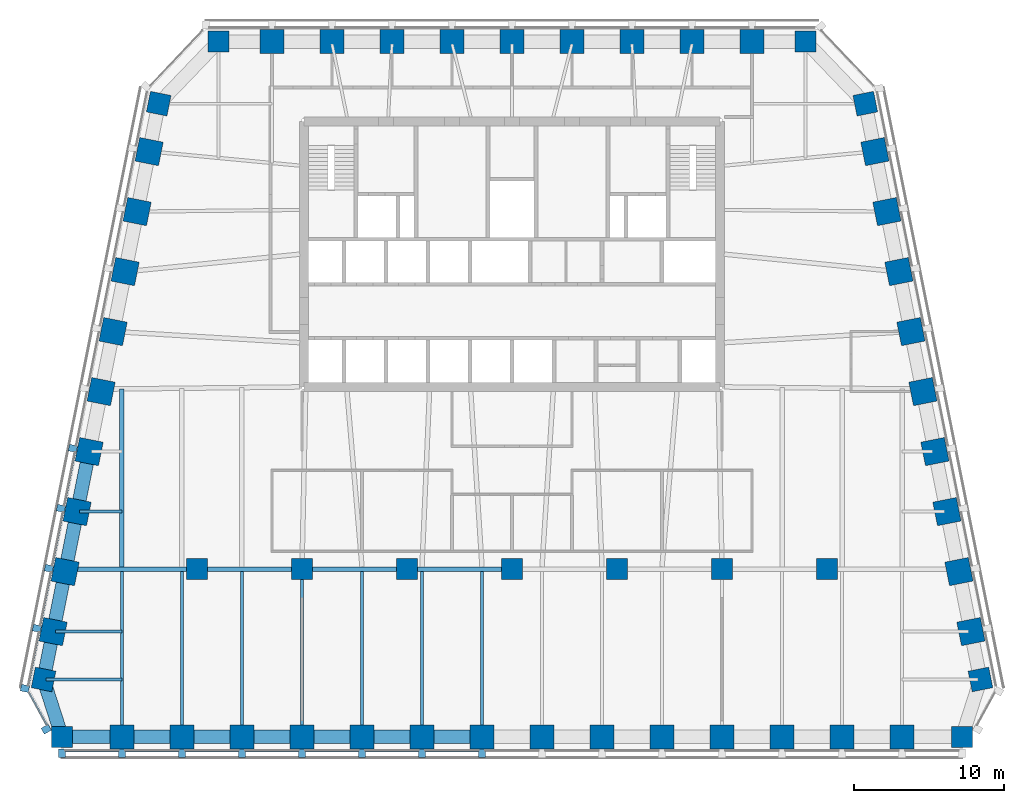
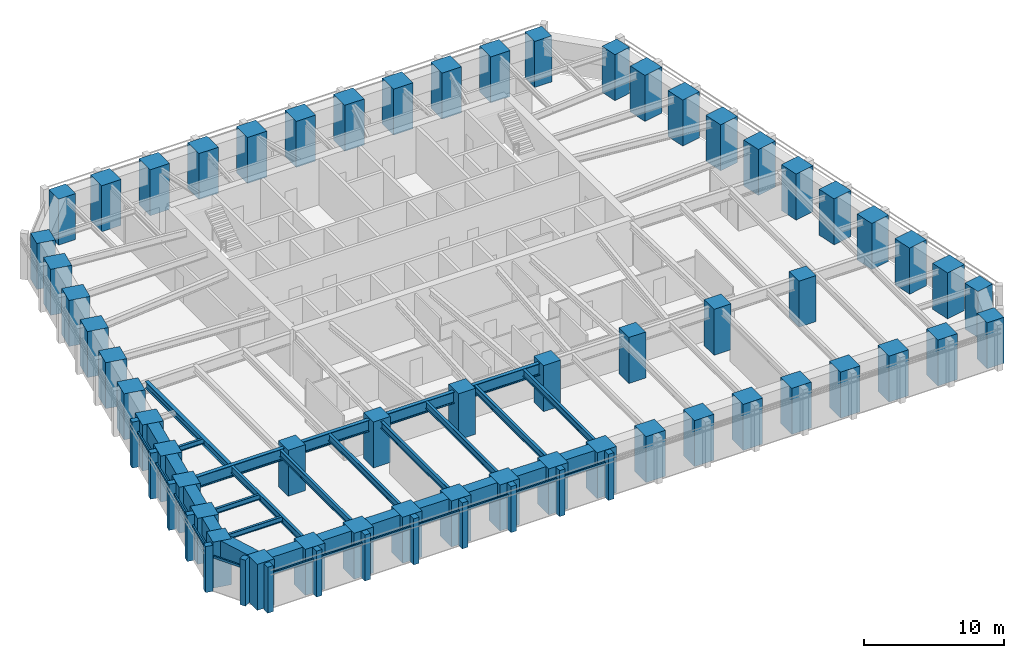
# One storey, part 1 of 10: 56 columns, 27 beams, 26 members, 3 elements without a shape of their own.
"""IFC4 building model written with IfcOpenShell, lengths in metres."""

import ifcopenshell
import ifcopenshell.guid

model = None  # the IFC model being written
_history = None  # IfcOwnerHistory: only IFC2X3 demands one
_inside = {}  # id of a spatial element -> (the spatial element, [elements in it])
_under = {}  # id of a project, library or spatial element -> (it, [spatial elements below it])
_declared = {}  # id of a project -> (the project, [libraries it declares])
_typed = {}  # id of a type object -> (the type object, [elements of that type])
_made_of = {}  # id of a material, layer set ... -> (it, [elements and type objects made of it])


def new_model(schema):
    """Start an empty IFC model of exactly this schema.

    Asked for "IFC4X3", IfcOpenShell would pick the latest addendum, in which some entities
    have other attributes; the version numbers below select the first issue.
    IFC2X3 requires an IfcOwnerHistory on every rooted entity: one is made here for all.
    """
    global model, _history
    if schema == "IFC4X3":
        model = ifcopenshell.file(schema_version=(4, 3, 0, 0))
    else:
        model = ifcopenshell.file(schema=schema)
    _inside.clear()
    _under.clear()
    _declared.clear()
    _typed.clear()
    _made_of.clear()
    _history = None
    if model.schema == "IFC2X3":
        org = make("IfcOrganization", Name="unknown")
        user = make(
            "IfcPersonAndOrganization",
            ThePerson=make("IfcPerson", FamilyName="unknown"),
            TheOrganization=org,
        )
        app = make(
            "IfcApplication",
            ApplicationDeveloper=org,
            Version="unknown",
            ApplicationFullName="unknown",
            ApplicationIdentifier="unknown",
        )
        _history = make(
            "IfcOwnerHistory",
            OwningUser=user,
            OwningApplication=app,
            ChangeAction="ADDED",
            CreationDate=0,
        )
    return model


def make(cls, **values):
    """One entity of the class cls with the attributes given. An attribute that is None is left unset."""
    return model.create_entity(
        cls, **{name: value for name, value in values.items() if value is not None}
    )


def rooted(cls, **values):
    """An entity with a GlobalId (a new one), such as an element, a storey or a relation."""
    return make(cls, GlobalId=ifcopenshell.guid.new(), OwnerHistory=_history, **values)


def si_unit(unit_type, name, prefix=None):
    """IfcSIUnit, for example si_unit("LENGTHUNIT", "METRE", prefix="MILLI")."""
    return make("IfcSIUnit", UnitType=unit_type, Prefix=prefix, Name=name)


def assignment(units):
    """IfcUnitAssignment: the units of a project."""
    return None if units is None else make("IfcUnitAssignment", Units=units)


def point(xyz):
    """IfcCartesianPoint."""
    return None if xyz is None else make("IfcCartesianPoint", Coordinates=xyz)


def direction(xyz):
    """IfcDirection."""
    return None if xyz is None else make("IfcDirection", DirectionRatios=xyz)


def frame(location, z_axis=None, x_axis=None):
    """IfcAxis2Placement3D, a coordinate frame: its origin and axes. An axis left out is left unset."""
    return make(
        "IfcAxis2Placement3D",
        Location=point(location),
        Axis=direction(z_axis),
        RefDirection=direction(x_axis),
    )


def frame_2d(location, x_axis=None):
    """IfcAxis2Placement2D, a coordinate frame in the plane: its origin and x axis."""
    return make(
        "IfcAxis2Placement2D", Location=point(location), RefDirection=direction(x_axis)
    )


def origin():
    """The frame at (0, 0, 0) with its axes left unset."""
    return frame((0.0, 0.0, 0.0))


def origin_2d():
    """The frame at (0, 0) in the plane with its x axis left unset."""
    return frame_2d((0.0, 0.0))


def place(relative_to, where):
    """IfcLocalPlacement: puts the frame where relative to a parent placement (None: the world)."""
    return make(
        "IfcLocalPlacement", PlacementRelTo=relative_to, RelativePlacement=where
    )


def context(
    kind, dimensions, precision=None, world=None, true_north=None, identifier=None
):
    """IfcGeometricRepresentationContext, for example the 3D "Model" context."""
    return make(
        "IfcGeometricRepresentationContext",
        ContextIdentifier=identifier,
        ContextType=kind,
        CoordinateSpaceDimension=dimensions,
        Precision=precision,
        WorldCoordinateSystem=world,
        TrueNorth=true_north,
    )


def subcontext(parent, identifier, kind, view, scale=None):
    """IfcGeometricRepresentationSubContext, for example "Body" below "Model"."""
    return make(
        "IfcGeometricRepresentationSubContext",
        ContextIdentifier=identifier,
        ContextType=kind,
        ParentContext=parent,
        TargetScale=scale,
        TargetView=view,
    )


def project(units=None, contexts=None):
    """IfcProject with its units and contexts."""
    return rooted(
        "IfcProject",
        Name="project",
        RepresentationContexts=contexts,
        UnitsInContext=assignment(units),
    )


def spatial(cls, under=None, at=None, **own):
    """A site, building, storey or space (cls), placed at a placement, below another one or the project."""
    s = rooted(cls, ObjectPlacement=at, **own)
    if under is not None:
        _under.setdefault(under.id(), (under, []))[1].append(s)
    return s


def profile(cls, at=None, kind="AREA", **sizes):
    """A parametric profile (cls). Its sizes go by their IFC names, for example OverallWidth=200.0."""
    return make(cls, ProfileType=kind, Position=at, **sizes)


def rectangle(**sizes):
    """IfcRectangleProfileDef."""
    return profile("IfcRectangleProfileDef", **sizes)


def i_section(**sizes):
    """IfcIShapeProfileDef."""
    return profile("IfcIShapeProfileDef", **sizes)


def extrude(swept, where, along, depth):
    """IfcExtrudedAreaSolid: the profile swept, set in the frame where, extruded along a direction by depth."""
    return make(
        "IfcExtrudedAreaSolid",
        SweptArea=swept,
        Position=where,
        ExtrudedDirection=direction(along),
        Depth=depth,
    )


def shape(context_of_items, identifier, shape_type, items):
    """IfcShapeRepresentation: the items that make up one representation, for example the "Body"."""
    return make(
        "IfcShapeRepresentation",
        ContextOfItems=context_of_items,
        RepresentationIdentifier=identifier,
        RepresentationType=shape_type,
        Items=items,
    )


def material(Name=None, Category=None):
    """IfcMaterial."""
    return make("IfcMaterial", Name=Name, Category=Category)


def material_profile(
    of_material, cross_section, Name=None, Category=None, Priority=None
):
    """IfcMaterialProfile: a cross section and its material."""
    return make(
        "IfcMaterialProfile",
        Name=Name,
        Material=of_material,
        Profile=cross_section,
        Priority=Priority,
        Category=Category,
    )


def profile_set(profiles, Name=None, composite=None):
    """IfcMaterialProfileSet."""
    return make(
        "IfcMaterialProfileSet",
        Name=Name,
        MaterialProfiles=profiles,
        CompositeProfile=composite,
    )


def made_of(thing, what):
    """Note that an element or type object is made of a material, layer set ...; save() writes the relation."""
    if what is not None:
        _made_of.setdefault(what.id(), (what, []))[1].append(thing)
    return thing


def type_object(cls, material=None, **own):
    """A type object (cls), such as IfcWallType, which elements share."""
    return made_of(rooted(cls, **own), material)


def element(
    cls,
    number,
    at=None,
    inside=None,
    cuts=None,
    type_object=None,
    material=None,
    context=None,
    identifier="Body",
    shape_type=None,
    held_by="IfcProductDefinitionShape",
    body=None,
    shapes=None,
    **own,
):
    """One element of the class cls, such as IfcWall. Its Tag is "e" and its number.

    at: its placement. inside: the storey or other place that contains it. cuts: it is an
    opening in that element (IfcRelVoidsElement). A single representation is given by context,
    identifier, shape_type and body (its items); several are given by shapes. held_by: the class
    of the entity that holds the representations. save() writes the other relations.
    """
    e = rooted(cls, Tag="e%d" % number, ObjectPlacement=at, **own)
    if body is not None:
        shapes = [shape(context, identifier, shape_type, body)]
    if shapes is not None:
        e.Representation = make(held_by, Representations=shapes)
    if inside is not None:
        _inside.setdefault(inside.id(), (inside, []))[1].append(e)
    if cuts is not None:
        rooted(
            "IfcRelVoidsElement", RelatingBuildingElement=cuts, RelatedOpeningElement=e
        )
    if type_object is not None:
        _typed.setdefault(type_object.id(), (type_object, []))[1].append(e)
    return made_of(e, material)


def aggregate(whole, parts):
    """IfcRelAggregates: a whole, such as a stair, and the parts it consists of."""
    return rooted("IfcRelAggregates", RelatingObject=whole, RelatedObjects=parts)


def save(model, path):
    """Write the relations noted so far, then the file.

    IfcRelAggregates (storeys below a building ...), IfcRelContainedInSpatialStructure (elements
    in a storey), IfcRelDefinesByType, IfcRelAssociatesMaterial and IfcRelDeclares: one each for
    every whole, place, type object, material and project.
    """
    for whole, parts in _under.values():
        aggregate(whole, parts)
    for where, things in _inside.values():
        rooted(
            "IfcRelContainedInSpatialStructure",
            RelatedElements=things,
            RelatingStructure=where,
        )
    for kind, things in _typed.values():
        rooted("IfcRelDefinesByType", RelatedObjects=things, RelatingType=kind)
    for what, things in _made_of.values():
        rooted("IfcRelAssociatesMaterial", RelatedObjects=things, RelatingMaterial=what)
    for by, libraries in _declared.values():
        rooted("IfcRelDeclares", RelatingContext=by, RelatedDefinitions=libraries)
    model.write(path)


model = new_model("IFC4")

# Units and contexts
model_context = context("Model", 3, precision=1e-05, world=origin(), true_north=direction((0.0, 1.0)))
body_context = subcontext(model_context, "Body", "Model", "MODEL_VIEW")
ifc_project = project(units=[si_unit("LENGTHUNIT", "METRE"), si_unit("AREAUNIT", "SQUARE_METRE"), si_unit("VOLUMEUNIT", "CUBIC_METRE"), si_unit("PLANEANGLEUNIT", "RADIAN"), si_unit("MASSUNIT", "GRAM", prefix="KILO")], contexts=[model_context])

# Site, building, storey
site_placement = place(None, origin())
site = spatial("IfcSite", under=ifc_project, at=site_placement, CompositionType="ELEMENT")
building_placement = place(site_placement, origin())
building = spatial("IfcBuilding", under=site, at=building_placement, Name="Isbrekke Arena Tower", CompositionType="ELEMENT")
storey_placement = place(building_placement, frame((0.0, 0.0, 182.0)))
storey = spatial("IfcBuildingStorey", under=building, at=storey_placement, Name="L41", CompositionType="ELEMENT", Elevation=182.0)

# Columns
ifc_material_1 = material(Name="Concrete B65 (C65/80)", Category="concrete")
ifc_material_profile_1 = material_profile(ifc_material_1, rectangle(XDim=1.39990234375, YDim=1.39990234375, at=origin_2d()), Name="RC 1400x1400")
ifc_profile_set_1 = profile_set([ifc_material_profile_1], Name="Concrete B65 (C65/80)")
column_type_1 = type_object("IfcColumnType", Name="C13 RC 1400 x 1400", PredefinedType="COLUMN", material=ifc_profile_set_1)
for number, where, z_axis, x_axis, name in (
    (1, (-21.0, -6.0, 0.0), (0.0, 0.0, 1.0), (1.0, 0.0, 0.0), "C13 I01"),
    (2, (-14.0, -6.0, 0.0), (0.0, 0.0, 1.0), (1.0, 0.0, 0.0), "C13 I02"),
    (3, (-7.0, -6.0, 0.0), (0.0, 0.0, 1.0), (1.0, 0.0, 0.0), "C13 I03"),
    (4, (0.0, -6.0, 0.0), (0.0, 0.0, 1.0), (1.0, 0.0, 0.0), "C13 I04"),
    (5, (7.0, -6.0, 0.0), (0.0, 0.0, 1.0), (1.0, 0.0, 0.0), "C13 I05"),
    (6, (14.0, -6.0, 0.0), (0.0, 0.0, 1.0), (1.0, 0.0, 0.0), "C13 I06"),
    (7, (21.0, -6.0, 0.0), (0.0, 0.0, 1.0), (1.0, 0.0, 0.0), "C13 I07"),
):
    element("IfcColumn", number, at=place(storey_placement, frame(where, z_axis=z_axis, x_axis=x_axis)), inside=storey, type_object=column_type_1, Name=name, PredefinedType="COLUMN", context=body_context, shape_type="SweptSolid", body=[
        extrude(rectangle(XDim=1.39990234375, YDim=1.39990234375, at=origin_2d()), origin(), (0.0, 0.0, 1.0), 4.0),
    ])
ifc_material_2 = material(Name="Concrete B65 (C65/80)", Category="concrete")
ifc_material_profile_2 = material_profile(ifc_material_2, rectangle(XDim=1.60009765625, YDim=1.60009765625, at=origin_2d()), Name="RC 1600x1600")
ifc_profile_set_2 = profile_set([ifc_material_profile_2], Name="Concrete B65 (C65/80)")
column_type_2 = type_object("IfcColumnType", Name="C4 RC 1600 x 1600", PredefinedType="COLUMN", material=ifc_profile_set_2)
for number, where, z_axis, x_axis, name in (
    (8, (-26.0, -17.175048828125, 0.0), (0.0, 0.0, 1.0), (1.0, 0.0, 0.0), "C4 S02"),
    (9, (-22.0, -17.175048828125, 0.0), (0.0, 0.0, 1.0), (1.0, 0.0, 0.0), "C4 S03"),
    (10, (-18.0, -17.175048828125, 0.0), (0.0, 0.0, 1.0), (1.0, 0.0, 0.0), "C4 S04"),
    (11, (-14.0, -17.175048828125, 0.0), (0.0, 0.0, 1.0), (1.0, 0.0, 0.0), "C4 S05"),
    (12, (-10.0, -17.175048828125, 0.0), (0.0, 0.0, 1.0), (1.0, 0.0, 0.0), "C4 S06"),
    (13, (-6.0, -17.175048828125, 0.0), (0.0, 0.0, 1.0), (1.0, 0.0, 0.0), "C4 S07"),
    (14, (-2.0, -17.175048828125, 0.0), (0.0, 0.0, 1.0), (1.0, 0.0, 0.0), "C4 S08"),
    (15, (2.0, -17.175048828125, 0.0), (0.0, 0.0, 1.0), (1.0, 0.0, 0.0), "C4 S09"),
    (16, (6.0, -17.175048828125, 0.0), (0.0, 0.0, 1.0), (1.0, 0.0, 0.0), "C4 S10"),
    (17, (10.0, -17.175048828125, 0.0), (0.0, 0.0, 1.0), (1.0, 0.0, 0.0), "C4 S11"),
    (18, (14.0, -17.175048828125, 0.0), (0.0, 0.0, 1.0), (1.0, 0.0, 0.0), "C4 S12"),
    (19, (18.0, -17.175048828125, 0.0), (0.0, 0.0, 1.0), (1.0, 0.0, 0.0), "C4 S13"),
    (20, (22.0, -17.175048828125, 0.0), (0.0, 0.0, 1.0), (1.0, 0.0, 0.0), "C4 S14"),
    (21, (26.0, -17.175048828125, 0.0), (0.0, 0.0, 1.0), (1.0, 0.0, 0.0), "C4 S15"),
    (22, (30.591064453125, -10.161865234375, 0.0), (0.0, 0.0, 1.0), (-0.196116135138, 0.980580675691, 0.0), "C4 E02"),
    (23, (29.791015625, -6.161865234375, 0.0), (0.0, 0.0, 1.0), (-0.196116135138, 0.980580675691, 0.0), "C4 E03"),
    (24, (28.990966796875, -2.161865234375, 0.0), (0.0, 0.0, 1.0), (-0.196116135138, 0.980580675691, 0.0), "C4 E04"),
    (25, (28.19091796875, 1.838134765625, 0.0), (0.0, 0.0, 1.0), (-0.196116135138, 0.980580675691, 0.0), "C4 E05"),
    (26, (27.39111328125, 5.838134765625, 0.0), (0.0, 0.0, 1.0), (-0.196116135138, 0.980580675691, 0.0), "C4 E06"),
    (27, (26.591064453125, 9.838134765625, 0.0), (0.0, 0.0, 1.0), (-0.196116135138, 0.980580675691, 0.0), "C4 E07"),
    (28, (25.791015625, 13.838134765625, 0.0), (0.0, 0.0, 1.0), (-0.196116135138, 0.980580675691, 0.0), "C4 E08"),
    (29, (24.990966796875, 17.838134765625, 0.0), (0.0, 0.0, 1.0), (-0.196116135138, 0.980580675691, 0.0), "C4 E09"),
    (30, (24.19091796875, 21.838134765625, 0.0), (0.0, 0.0, 1.0), (-0.196116135138, 0.980580675691, 0.0), "C4 E10"),
    (31, (16.0, 29.175048828125, 0.0), (0.0, 0.0, 1.0), (-1.0, 0.0, 0.0), "C4 N02"),
    (32, (12.0, 29.175048828125, 0.0), (0.0, 0.0, 1.0), (-1.0, 0.0, 0.0), "C4 N03"),
    (33, (8.0, 29.175048828125, 0.0), (0.0, 0.0, 1.0), (-1.0, 0.0, 0.0), "C4 N04"),
    (34, (4.0, 29.175048828125, 0.0), (0.0, 0.0, 1.0), (-1.0, 0.0, 0.0), "C4 N05"),
    (35, (0.0, 29.175048828125, 0.0), (0.0, 0.0, 1.0), (-1.0, 0.0, 0.0), "C4 N06"),
    (36, (-4.0, 29.175048828125, 0.0), (0.0, 0.0, 1.0), (-1.0, 0.0, 0.0), "C4 N07"),
    (37, (-8.0, 29.175048828125, 0.0), (0.0, 0.0, 1.0), (-1.0, 0.0, 0.0), "C4 N08"),
    (38, (-12.0, 29.175048828125, 0.0), (0.0, 0.0, 1.0), (-1.0, 0.0, 0.0), "C4 N09"),
    (39, (-16.0, 29.175048828125, 0.0), (0.0, 0.0, 1.0), (-1.0, 0.0, 0.0), "C4 N10"),
    (40, (-24.19091796875, 21.838134765625, 0.0), (0.0, 0.0, 1.0), (-0.196116135138, -0.980580675691, 0.0), "C4 W02"),
    (41, (-24.990966796875, 17.838134765625, 0.0), (0.0, 0.0, 1.0), (-0.196116135138, -0.980580675691, 0.0), "C4 W03"),
    (42, (-25.791015625, 13.838134765625, 0.0), (0.0, 0.0, 1.0), (-0.196116135138, -0.980580675691, 0.0), "C4 W04"),
    (43, (-26.591064453125, 9.838134765625, 0.0), (0.0, 0.0, 1.0), (-0.196116135138, -0.980580675691, 0.0), "C4 W05"),
    (44, (-27.39111328125, 5.838134765625, 0.0), (0.0, 0.0, 1.0), (-0.196116135138, -0.980580675691, 0.0), "C4 W06"),
    (45, (-28.19091796875, 1.838134765625, 0.0), (0.0, 0.0, 1.0), (-0.196116135138, -0.980580675691, 0.0), "C4 W07"),
    (46, (-28.990966796875, -2.161865234375, 0.0), (0.0, 0.0, 1.0), (-0.196116135138, -0.980580675691, 0.0), "C4 W08"),
    (47, (-29.791015625, -6.161865234375, 0.0), (0.0, 0.0, 1.0), (-0.196116135138, -0.980580675691, 0.0), "C4 W09"),
    (48, (-30.591064453125, -10.161865234375, 0.0), (0.0, 0.0, 1.0), (-0.196116135138, -0.980580675691, 0.0), "C4 W10"),
):
    element("IfcColumn", number, at=place(storey_placement, frame(where, z_axis=z_axis, x_axis=x_axis)), inside=storey, type_object=column_type_2, Name=name, PredefinedType="COLUMN", context=body_context, shape_type="SweptSolid", body=[
        extrude(rectangle(XDim=1.60009765625, YDim=1.60009765625, at=origin_2d()), origin(), (0.0, 0.0, 1.0), 4.0),
    ])
ifc_material_3 = material(Name="Concrete B65 (C65/80)", Category="concrete")
ifc_material_profile_3 = material_profile(ifc_material_3, rectangle(XDim=1.39990234375, YDim=1.39990234375, at=origin_2d()), Name="RC 1400x1400")
ifc_profile_set_3 = profile_set([ifc_material_profile_3], Name="Concrete B65 (C65/80)")
column_type_3 = type_object("IfcColumnType", Name="C8 RC 1400 x 1400", PredefinedType="COLUMN", material=ifc_profile_set_3)
for number, where, z_axis, x_axis, name in (
    (49, (-30.0, -17.175048828125, 0.0), (0.0, 0.0, 1.0), (1.0, 0.0, 0.0), "C8 S01"),
    (50, (30.0, -17.175048828125, 0.0), (0.0, 0.0, 1.0), (1.0, 0.0, 0.0), "C8 S16"),
    (51, (31.229248046875, -13.352783203125, 0.0), (0.0, 0.0, 1.0), (-0.196116135138, 0.980580675691, 0.0), "C8 E01"),
    (52, (23.552734375, 25.029296875, 0.0), (0.0, 0.0, 1.0), (-0.196116135138, 0.980580675691, 0.0), "C8 E11"),
    (53, (19.574951171875, 29.175048828125, 0.0), (0.0, 0.0, 1.0), (-1.0, 0.0, 0.0), "C8 N01"),
    (54, (-19.574951171875, 29.175048828125, 0.0), (0.0, 0.0, 1.0), (-1.0, 0.0, 0.0), "C8 N11"),
    (55, (-23.552734375, 25.029296875, 0.0), (0.0, 0.0, 1.0), (-0.196116135138, -0.980580675691, 0.0), "C8 W01"),
    (56, (-31.229248046875, -13.352783203125, 0.0), (0.0, 0.0, 1.0), (-0.196116135138, -0.980580675691, 0.0), "C8 W11"),
):
    element("IfcColumn", number, at=place(storey_placement, frame(where, z_axis=z_axis, x_axis=x_axis)), inside=storey, type_object=column_type_3, Name=name, PredefinedType="COLUMN", context=body_context, shape_type="SweptSolid", body=[
        extrude(rectangle(XDim=1.39990234375, YDim=1.39990234375, at=origin_2d()), origin(), (0.0, 0.0, 1.0), 4.0),
    ])

# Beams
ifc_material_4 = material(Name="Steel S355", Category="steel")
ifc_material_profile_4 = material_profile(ifc_material_4, i_section(OverallWidth=0.219970703125, OverallDepth=0.60009765625, WebThickness=0.011962890625, FlangeThickness=0.01904296875, FilletRadius=0.02392578125, at=origin_2d()), Name="IPE 600")
ifc_profile_set_4 = profile_set([ifc_material_profile_4], Name="Steel S355")
beam_type_1 = type_object("IfcBeamType", Name="B1 IPE 600", PredefinedType="BEAM", material=ifc_profile_set_4)
for number, where, z_axis, x_axis, name in (
    (57, (-26.0, -17.02490234375, 3.550048828125), (0.0, 1.0, 0.0), (-1.0, 0.0, 0.0), "B1 beam S-S02 L41"),
    (58, (-22.0, -17.02490234375, 3.550048828125), (0.0, 1.0, 0.0), (-1.0, 0.0, 0.0), "B1 beam S-S03 L41"),
    (59, (-18.0, -17.02490234375, 3.550048828125), (0.0, 1.0, 0.0), (-1.0, 0.0, 0.0), "B1 beam S-S04 L41"),
):
    element("IfcBeam", number, at=place(storey_placement, frame(where, z_axis=z_axis, x_axis=x_axis)), inside=storey, type_object=beam_type_1, Name=name, PredefinedType="BEAM", context=body_context, shape_type="SweptSolid", body=[
        extrude(i_section(OverallWidth=0.219970703125, OverallDepth=0.60009765625, WebThickness=0.011962890625, FlangeThickness=0.01904296875, FilletRadius=0.02392578125, at=origin_2d()), origin(), (0.0, 0.0, 1.0), 10.8740234375),
    ])
beam_1_placement = place(storey_placement, frame((-14.0, -17.02490234375, 3.550048828125), z_axis=(0.0, 1.0, 0.0), x_axis=(-1.0, 0.0, 0.0)))
element("IfcBeam", 60, at=beam_1_placement, inside=storey, type_object=beam_type_1, Name="B1 beam S-S05 L41", PredefinedType="BEAM", context=body_context, shape_type="SweptSolid", body=[
    extrude(i_section(OverallWidth=0.219970703125, OverallDepth=0.60009765625, WebThickness=0.011962890625, FlangeThickness=0.01904296875, FilletRadius=0.02392578125, at=origin_2d()), origin(), (0.0, 0.0, 1.0), 10.875),
])
for number, where, z_axis, x_axis, name in (
    (61, (-10.0, -17.02490234375, 3.550048828125), (0.0, 1.0, 0.0), (-1.0, 0.0, 0.0), "B1 beam S-S06 L41"),
    (62, (-6.0, -17.02490234375, 3.550048828125), (0.0, 1.0, 0.0), (-1.0, 0.0, 0.0), "B1 beam S-S07 L41"),
    (63, (-2.0, -17.02490234375, 3.550048828125), (0.0, 1.0, 0.0), (-1.0, 0.0, 0.0), "B1 beam S-S08 L41"),
):
    element("IfcBeam", number, at=place(storey_placement, frame(where, z_axis=z_axis, x_axis=x_axis)), inside=storey, type_object=beam_type_1, Name=name, PredefinedType="BEAM", context=body_context, shape_type="SweptSolid", body=[
        extrude(i_section(OverallWidth=0.219970703125, OverallDepth=0.60009765625, WebThickness=0.011962890625, FlangeThickness=0.01904296875, FilletRadius=0.02392578125, at=origin_2d()), origin(), (0.0, 0.0, 1.0), 10.8740234375),
    ])
ifc_material_5 = material(Name="Steel S355", Category="steel")
ifc_material_profile_5 = material_profile(ifc_material_5, i_section(OverallWidth=0.18994140625, OverallDepth=0.449951171875, WebThickness=0.009521484375, FlangeThickness=0.0146484375, FilletRadius=0.02099609375, at=origin_2d()), Name="IPE 450")
ifc_profile_set_5 = profile_set([ifc_material_profile_5], Name="Steel S355")
beam_type_2 = type_object("IfcBeamType", Name="B2 IPE 450", PredefinedType="BEAM", material=ifc_profile_set_5)
beam_2_placement = place(storey_placement, frame((-28.841064453125, -2.161865234375, 3.625), z_axis=(1.0, 0.0, 0.0), x_axis=(0.0, 1.0, 0.0)))
element("IfcBeam", 64, at=beam_2_placement, inside=storey, type_object=beam_type_2, Name="B2 beam E-W08 L41", PredefinedType="BEAM", context=body_context, shape_type="SweptSolid", body=[
    extrude(i_section(OverallWidth=0.18994140625, OverallDepth=0.449951171875, WebThickness=0.009521484375, FlangeThickness=0.0146484375, FilletRadius=0.02099609375, at=origin_2d()), origin(), (0.0, 0.0, 1.0), 2.841064453125),
])
beam_3_placement = place(storey_placement, frame((-30.44091796875, -10.161865234375, 3.625), z_axis=(1.0, 0.0, 0.0), x_axis=(0.0, 1.0, 0.0)))
element("IfcBeam", 65, at=beam_3_placement, inside=storey, type_object=beam_type_2, Name="B2 beam E-W10 L41", PredefinedType="BEAM", context=body_context, shape_type="SweptSolid", body=[
    extrude(i_section(OverallWidth=0.18994140625, OverallDepth=0.449951171875, WebThickness=0.009521484375, FlangeThickness=0.0146484375, FilletRadius=0.02099609375, at=origin_2d()), origin(), (0.0, 0.0, 1.0), 4.44091796875),
])
beam_4_placement = place(storey_placement, frame((-31.079345703125, -13.352783203125, 3.625), z_axis=(1.0, 0.0, 0.0), x_axis=(0.0, 1.0, 0.0)))
element("IfcBeam", 66, at=beam_4_placement, inside=storey, type_object=beam_type_2, Name="B2 beam E-W11 L41", PredefinedType="BEAM", context=body_context, shape_type="SweptSolid", body=[
    extrude(i_section(OverallWidth=0.18994140625, OverallDepth=0.449951171875, WebThickness=0.009521484375, FlangeThickness=0.0146484375, FilletRadius=0.02099609375, at=origin_2d()), origin(), (0.0, 0.0, 1.0), 5.079345703125),
])
ifc_material_6 = material(Name="Steel S355", Category="steel")
ifc_material_profile_6 = material_profile(ifc_material_6, i_section(OverallWidth=0.300048828125, OverallDepth=0.60009765625, WebThickness=0.015380859375, FlangeThickness=0.030029296875, FilletRadius=0.027099609375, at=origin_2d()), Name="HEB 600")
ifc_profile_set_6 = profile_set([ifc_material_profile_6], Name="Steel S355")
beam_type_3 = type_object("IfcBeamType", Name="B7 HEB 600", PredefinedType="BEAM", material=ifc_profile_set_6)
beam_5_placement = place(storey_placement, frame((-26.0, -5.84912109375, 3.550048828125), z_axis=(0.0, 1.0, 0.0), x_axis=(-1.0, 0.0, 0.0)))
element("IfcBeam", 67, at=beam_5_placement, inside=storey, type_object=beam_type_3, Name="B7 beam C-M01 L41", PredefinedType="BEAM", context=body_context, shape_type="SweptSolid", body=[
    extrude(i_section(OverallWidth=0.300048828125, OverallDepth=0.60009765625, WebThickness=0.015380859375, FlangeThickness=0.030029296875, FilletRadius=0.027099609375, at=origin_2d()), origin(), (0.0, 0.0, 1.0), 11.864990234375),
])

# Curtain wall, members
ifc_material_7 = material(Name="Glazed aluminium curtain wall", Category="aluminium")
curtain_wall_type = type_object("IfcCurtainWallType", Name="CWH TOWER CURTAIN WALL HIGH ZONE", PredefinedType="USERDEFINED", material=ifc_material_7)
curtain_wall_1_placement = place(storey_placement, origin())
curtain_wall_1 = element("IfcCurtainWall", 68, at=curtain_wall_1_placement, inside=storey, type_object=curtain_wall_type, Name="CWH curtain wall L41-S", ObjectType="TOWER CURTAIN WALL HIGH ZONE", PredefinedType="USERDEFINED")
ifc_material_8 = material(Name="Aluminium mullion, pale brick slip cladding", Category="masonry")
ifc_material_profile_7 = material_profile(ifc_material_8, rectangle(XDim=0.449951171875, YDim=0.550048828125, at=origin_2d()), Name="PIER 450X550")
ifc_profile_set_7 = profile_set([ifc_material_profile_7], Name="Aluminium mullion, pale brick slip cladding")
member_type_1 = type_object("IfcMemberType", Name="CWH-M PIER MULLION 450 x 550", PredefinedType="MULLION", material=ifc_profile_set_7)
member_1_placement = place(storey_placement, frame((-30.0, -18.27490234375, 0.0), z_axis=(0.0, 0.0, 1.0), x_axis=(1.0, 0.0, 0.0)))
member_1 = element("IfcMember", 69, at=member_1_placement, type_object=member_type_1, Name="CWH-M mullion 1", PredefinedType="MULLION", context=body_context, shape_type="SweptSolid", body=[
    extrude(rectangle(XDim=0.449951171875, YDim=0.550048828125, at=origin_2d()), origin(), (0.0, 0.0, 1.0), 4.0),
])
member_2_placement = place(storey_placement, frame((-26.0, -18.27490234375, 0.0), z_axis=(0.0, 0.0, 1.0), x_axis=(1.0, 0.0, 0.0)))
member_2 = element("IfcMember", 70, at=member_2_placement, type_object=member_type_1, Name="CWH-M mullion 2", PredefinedType="MULLION", context=body_context, shape_type="SweptSolid", body=[
    extrude(rectangle(XDim=0.449951171875, YDim=0.550048828125, at=origin_2d()), origin(), (0.0, 0.0, 1.0), 4.0),
])
member_3_placement = place(storey_placement, frame((-22.0, -18.27490234375, 0.0), z_axis=(0.0, 0.0, 1.0), x_axis=(1.0, 0.0, 0.0)))
member_3 = element("IfcMember", 71, at=member_3_placement, type_object=member_type_1, Name="CWH-M mullion 3", PredefinedType="MULLION", context=body_context, shape_type="SweptSolid", body=[
    extrude(rectangle(XDim=0.449951171875, YDim=0.550048828125, at=origin_2d()), origin(), (0.0, 0.0, 1.0), 4.0),
])
member_4_placement = place(storey_placement, frame((-18.0, -18.27490234375, 0.0), z_axis=(0.0, 0.0, 1.0), x_axis=(1.0, 0.0, 0.0)))
member_4 = element("IfcMember", 72, at=member_4_placement, type_object=member_type_1, Name="CWH-M mullion 4", PredefinedType="MULLION", context=body_context, shape_type="SweptSolid", body=[
    extrude(rectangle(XDim=0.449951171875, YDim=0.550048828125, at=origin_2d()), origin(), (0.0, 0.0, 1.0), 4.0),
])
member_5_placement = place(storey_placement, frame((-14.0, -18.27490234375, 0.0), z_axis=(0.0, 0.0, 1.0), x_axis=(1.0, 0.0, 0.0)))
member_5 = element("IfcMember", 73, at=member_5_placement, type_object=member_type_1, Name="CWH-M mullion 5", PredefinedType="MULLION", context=body_context, shape_type="SweptSolid", body=[
    extrude(rectangle(XDim=0.449951171875, YDim=0.550048828125, at=origin_2d()), origin(), (0.0, 0.0, 1.0), 4.0),
])
member_6_placement = place(storey_placement, frame((-10.0, -18.27490234375, 0.0), z_axis=(0.0, 0.0, 1.0), x_axis=(1.0, 0.0, 0.0)))
member_6 = element("IfcMember", 74, at=member_6_placement, type_object=member_type_1, Name="CWH-M mullion 6", PredefinedType="MULLION", context=body_context, shape_type="SweptSolid", body=[
    extrude(rectangle(XDim=0.449951171875, YDim=0.550048828125, at=origin_2d()), origin(), (0.0, 0.0, 1.0), 4.0),
])
member_7_placement = place(storey_placement, frame((-6.0, -18.27490234375, 0.0), z_axis=(0.0, 0.0, 1.0), x_axis=(1.0, 0.0, 0.0)))
member_7 = element("IfcMember", 75, at=member_7_placement, type_object=member_type_1, Name="CWH-M mullion 7", PredefinedType="MULLION", context=body_context, shape_type="SweptSolid", body=[
    extrude(rectangle(XDim=0.449951171875, YDim=0.550048828125, at=origin_2d()), origin(), (0.0, 0.0, 1.0), 4.0),
])
member_8_placement = place(storey_placement, frame((-2.0, -18.27490234375, 0.0), z_axis=(0.0, 0.0, 1.0), x_axis=(1.0, 0.0, 0.0)))
member_8 = element("IfcMember", 76, at=member_8_placement, type_object=member_type_1, Name="CWH-M mullion 8", PredefinedType="MULLION", context=body_context, shape_type="SweptSolid", body=[
    extrude(rectangle(XDim=0.449951171875, YDim=0.550048828125, at=origin_2d()), origin(), (0.0, 0.0, 1.0), 4.0),
])

curtain_wall_2_placement = place(storey_placement, origin())
curtain_wall_2 = element("IfcCurtainWall", 77, at=curtain_wall_2_placement, inside=storey, type_object=curtain_wall_type, Name="CWH curtain wall L41-W", ObjectType="TOWER CURTAIN WALL HIGH ZONE", PredefinedType="USERDEFINED")
member_9_placement = place(storey_placement, frame((-29.269775390625, 2.053955078125, 0.0), z_axis=(0.0, 0.0, 1.0), x_axis=(-0.196116135138, -0.980580675691, 0.0)))
member_9 = element("IfcMember", 78, at=member_9_placement, type_object=member_type_1, Name="CWH-M mullion 6", PredefinedType="MULLION", context=body_context, shape_type="SweptSolid", body=[
    extrude(rectangle(XDim=0.449951171875, YDim=0.550048828125, at=origin_2d()), origin(), (0.0, 0.0, 1.0), 4.0),
])
member_10_placement = place(storey_placement, frame((-30.069580078125, -1.946044921875, 0.0), z_axis=(0.0, 0.0, 1.0), x_axis=(-0.196116135138, -0.980580675691, 0.0)))
member_10 = element("IfcMember", 79, at=member_10_placement, type_object=member_type_1, Name="CWH-M mullion 7", PredefinedType="MULLION", context=body_context, shape_type="SweptSolid", body=[
    extrude(rectangle(XDim=0.449951171875, YDim=0.550048828125, at=origin_2d()), origin(), (0.0, 0.0, 1.0), 4.0),
])
member_11_placement = place(storey_placement, frame((-30.86962890625, -5.946044921875, 0.0), z_axis=(0.0, 0.0, 1.0), x_axis=(-0.196116135138, -0.980580675691, 0.0)))
member_11 = element("IfcMember", 80, at=member_11_placement, type_object=member_type_1, Name="CWH-M mullion 8", PredefinedType="MULLION", context=body_context, shape_type="SweptSolid", body=[
    extrude(rectangle(XDim=0.449951171875, YDim=0.550048828125, at=origin_2d()), origin(), (0.0, 0.0, 1.0), 4.0),
])
member_12_placement = place(storey_placement, frame((-31.669677734375, -9.946044921875, 0.0), z_axis=(0.0, 0.0, 1.0), x_axis=(-0.196116135138, -0.980580675691, 0.0)))
member_12 = element("IfcMember", 81, at=member_12_placement, type_object=member_type_1, Name="CWH-M mullion 9", PredefinedType="MULLION", context=body_context, shape_type="SweptSolid", body=[
    extrude(rectangle(XDim=0.449951171875, YDim=0.550048828125, at=origin_2d()), origin(), (0.0, 0.0, 1.0), 4.0),
])
member_13_placement = place(storey_placement, frame((-32.4697265625, -13.946044921875, 0.0), z_axis=(0.0, 0.0, 1.0), x_axis=(-0.196116135138, -0.980580675691, 0.0)))
member_13 = element("IfcMember", 82, at=member_13_placement, type_object=member_type_1, Name="CWH-M mullion 10", PredefinedType="MULLION", context=body_context, shape_type="SweptSolid", body=[
    extrude(rectangle(XDim=0.449951171875, YDim=0.550048828125, at=origin_2d()), origin(), (0.0, 0.0, 1.0), 4.0),
])

# Curtain wall, member
curtain_wall_3_placement = place(storey_placement, origin())
curtain_wall_3 = element("IfcCurtainWall", 83, at=curtain_wall_3_placement, inside=storey, type_object=curtain_wall_type, Name="CWH curtain wall L41-WS", ObjectType="TOWER CURTAIN WALL HIGH ZONE", PredefinedType="USERDEFINED")
member_14_placement = place(storey_placement, frame((-31.04638671875, -16.66796875, 0.0), z_axis=(0.0, 0.0, 1.0), x_axis=(0.481918749773, -0.876215908676, 0.0)))
member_14 = element("IfcMember", 84, at=member_14_placement, type_object=member_type_1, Name="CWH-M mullion 1", PredefinedType="MULLION", context=body_context, shape_type="SweptSolid", body=[
    extrude(rectangle(XDim=0.449951171875, YDim=0.550048828125, at=origin_2d()), origin(), (0.0, 0.0, 1.0), 4.0),
])

# Member
ifc_material_9 = material(Name="Aluminium transom", Category="aluminium")
ifc_material_profile_8 = material_profile(ifc_material_9, rectangle(XDim=0.1201171875, YDim=0.199951171875, at=origin_2d()), Name="TRANSOM 120X200")
ifc_profile_set_8 = profile_set([ifc_material_profile_8], Name="Aluminium transom")
member_type_2 = type_object("IfcMemberType", Name="CWH-T TRANSOM 120 x 200", PredefinedType="USERDEFINED", material=ifc_profile_set_8)
member_15_placement = place(storey_placement, frame((-29.77490234375, -18.10009765625, 3.0), z_axis=(1.0, 0.0, 0.0), x_axis=(0.0, 1.0, 0.0)))
member_15 = element("IfcMember", 85, at=member_15_placement, type_object=member_type_2, Name="CWH-T transom 1", ObjectType="TRANSOM", PredefinedType="USERDEFINED", context=body_context, shape_type="SweptSolid", body=[
    extrude(rectangle(XDim=0.1201171875, YDim=0.199951171875, at=origin_2d()), origin(), (0.0, 0.0, 1.0), 3.5498046875),
])

member_16_placement = place(storey_placement, frame((-25.77490234375, -18.10009765625, 3.0), z_axis=(1.0, 0.0, 0.0), x_axis=(0.0, 1.0, 0.0)))
member_16 = element("IfcMember", 86, at=member_16_placement, type_object=member_type_2, Name="CWH-T transom 2", ObjectType="TRANSOM", PredefinedType="USERDEFINED", context=body_context, shape_type="SweptSolid", body=[
    extrude(rectangle(XDim=0.1201171875, YDim=0.199951171875, at=origin_2d()), origin(), (0.0, 0.0, 1.0), 3.5498046875),
])

member_17_placement = place(storey_placement, frame((-21.77490234375, -18.10009765625, 3.0), z_axis=(1.0, 0.0, 0.0), x_axis=(0.0, 1.0, 0.0)))
member_17 = element("IfcMember", 87, at=member_17_placement, type_object=member_type_2, Name="CWH-T transom 3", ObjectType="TRANSOM", PredefinedType="USERDEFINED", context=body_context, shape_type="SweptSolid", body=[
    extrude(rectangle(XDim=0.1201171875, YDim=0.199951171875, at=origin_2d()), origin(), (0.0, 0.0, 1.0), 3.5498046875),
])

member_18_placement = place(storey_placement, frame((-17.77490234375, -18.10009765625, 3.0), z_axis=(1.0, 0.0, 0.0), x_axis=(0.0, 1.0, 0.0)))
member_18 = element("IfcMember", 88, at=member_18_placement, type_object=member_type_2, Name="CWH-T transom 4", ObjectType="TRANSOM", PredefinedType="USERDEFINED", context=body_context, shape_type="SweptSolid", body=[
    extrude(rectangle(XDim=0.1201171875, YDim=0.199951171875, at=origin_2d()), origin(), (0.0, 0.0, 1.0), 3.5498046875),
])

member_19_placement = place(storey_placement, frame((-13.77490234375, -18.10009765625, 3.0), z_axis=(1.0, 0.0, 0.0), x_axis=(0.0, 1.0, 0.0)))
member_19 = element("IfcMember", 89, at=member_19_placement, type_object=member_type_2, Name="CWH-T transom 5", ObjectType="TRANSOM", PredefinedType="USERDEFINED", context=body_context, shape_type="SweptSolid", body=[
    extrude(rectangle(XDim=0.1201171875, YDim=0.199951171875, at=origin_2d()), origin(), (0.0, 0.0, 1.0), 3.5498046875),
])

member_20_placement = place(storey_placement, frame((-9.77490234375, -18.10009765625, 3.0), z_axis=(1.0, 0.0, 0.0), x_axis=(0.0, 1.0, 0.0)))
member_20 = element("IfcMember", 90, at=member_20_placement, type_object=member_type_2, Name="CWH-T transom 6", ObjectType="TRANSOM", PredefinedType="USERDEFINED", context=body_context, shape_type="SweptSolid", body=[
    extrude(rectangle(XDim=0.1201171875, YDim=0.199951171875, at=origin_2d()), origin(), (0.0, 0.0, 1.0), 3.5498046875),
])

member_21_placement = place(storey_placement, frame((-5.77490234375, -18.10009765625, 3.0), z_axis=(1.0, 0.0, 0.0), x_axis=(0.0, 1.0, 0.0)))
member_21 = element("IfcMember", 91, at=member_21_placement, type_object=member_type_2, Name="CWH-T transom 7", ObjectType="TRANSOM", PredefinedType="USERDEFINED", context=body_context, shape_type="SweptSolid", body=[
    extrude(rectangle(XDim=0.1201171875, YDim=0.199951171875, at=origin_2d()), origin(), (0.0, 0.0, 1.0), 3.5498046875),
])

aggregate(curtain_wall_1, [member_1, member_2, member_3, member_4, member_5, member_6, member_7, member_8, member_15, member_16, member_17, member_18, member_19, member_20, member_21])

member_22_placement = place(storey_placement, frame((-29.14208984375, 1.799072265625, 3.0), z_axis=(-0.196154943734, -0.980572913173, 0.0), x_axis=(0.980572913173, -0.196154943734, 0.0)))
member_22 = element("IfcMember", 92, at=member_22_placement, type_object=member_type_2, Name="CWH-T transom 7", ObjectType="TRANSOM", PredefinedType="USERDEFINED", context=body_context, shape_type="SweptSolid", body=[
    extrude(rectangle(XDim=0.1201171875, YDim=0.199951171875, at=origin_2d()), origin(), (0.0, 0.0, 1.0), 3.62939453125),
])

member_23_placement = place(storey_placement, frame((-29.942138671875, -2.200927734375, 3.0), z_axis=(-0.196154943734, -0.980572913173, 0.0), x_axis=(0.980572913173, -0.196154943734, 0.0)))
member_23 = element("IfcMember", 93, at=member_23_placement, type_object=member_type_2, Name="CWH-T transom 8", ObjectType="TRANSOM", PredefinedType="USERDEFINED", context=body_context, shape_type="SweptSolid", body=[
    extrude(rectangle(XDim=0.1201171875, YDim=0.199951171875, at=origin_2d()), origin(), (0.0, 0.0, 1.0), 3.62939453125),
])

member_24_placement = place(storey_placement, frame((-30.7421875, -6.200927734375, 3.0), z_axis=(-0.196090262229, -0.980585849918, 0.0), x_axis=(0.980585849918, -0.196090262229, 0.0)))
member_24 = element("IfcMember", 94, at=member_24_placement, type_object=member_type_2, Name="CWH-T transom 9", ObjectType="TRANSOM", PredefinedType="USERDEFINED", context=body_context, shape_type="SweptSolid", body=[
    extrude(rectangle(XDim=0.1201171875, YDim=0.199951171875, at=origin_2d()), origin(), (0.0, 0.0, 1.0), 3.62939453125),
])

member_25_placement = place(storey_placement, frame((-31.542236328125, -10.200927734375, 3.0), z_axis=(-0.196090262229, -0.980585849918, 0.0), x_axis=(0.980585849918, -0.196090262229, 0.0)))
member_25 = element("IfcMember", 95, at=member_25_placement, type_object=member_type_2, Name="CWH-T transom 10", ObjectType="TRANSOM", PredefinedType="USERDEFINED", context=body_context, shape_type="SweptSolid", body=[
    extrude(rectangle(XDim=0.1201171875, YDim=0.199951171875, at=origin_2d()), origin(), (0.0, 0.0, 1.0), 3.62939453125),
])

aggregate(curtain_wall_2, [member_9, member_10, member_11, member_12, member_13, member_22, member_23, member_24, member_25])

member_26_placement = place(storey_placement, frame((-32.17919921875, -14.245361328125, 3.0), z_axis=(0.481957101782, -0.876194813978, 0.0), x_axis=(0.876194813978, 0.481957101782, 0.0)))
member_26 = element("IfcMember", 96, at=member_26_placement, type_object=member_type_2, Name="CWH-T transom 1", ObjectType="TRANSOM", PredefinedType="USERDEFINED", context=body_context, shape_type="SweptSolid", body=[
    extrude(rectangle(XDim=0.1201171875, YDim=0.199951171875, at=origin_2d()), origin(), (0.0, 0.0, 1.0), 2.443603515625),
])

aggregate(curtain_wall_3, [member_14, member_26])

# Beams
ifc_material_10 = material(Name="Steel S355", Category="steel")
ifc_material_profile_9 = material_profile(ifc_material_10, i_section(OverallWidth=0.302001953125, OverallDepth=1.008056640625, WebThickness=0.02099609375, FlangeThickness=0.0400390625, FilletRadius=0.030029296875, at=origin_2d()), Name="HEM 1000")
ifc_profile_set_9 = profile_set([ifc_material_profile_9], Name="Steel S355")
beam_type_4 = type_object("IfcBeamType", Name="G1 HEM 1000", PredefinedType="BEAM", material=ifc_profile_set_9)
beam_6_placement = place(storey_placement, frame((-29.791015625, -6.0, 3.345947265625), z_axis=(1.0, 0.0, 0.0), x_axis=(0.0, 1.0, 0.0)))
element("IfcBeam", 97, at=beam_6_placement, inside=storey, type_object=beam_type_4, Name="G1 beam G1-01 L41", PredefinedType="BEAM", context=body_context, shape_type="SweptSolid", body=[
    extrude(i_section(OverallWidth=0.302001953125, OverallDepth=1.008056640625, WebThickness=0.02099609375, FlangeThickness=0.0400390625, FilletRadius=0.030029296875, at=origin_2d()), origin(), (0.0, 0.0, 1.0), 8.64111328125),
])
for number, where, z_axis, x_axis, name in (
    (98, (-20.85009765625, -6.0, 3.345947265625), (1.0, 0.0, 0.0), (0.0, 1.0, 0.0), "G1 beam G1-02 L41"),
    (99, (-13.85009765625, -6.0, 3.345947265625), (1.0, 0.0, 0.0), (0.0, 1.0, 0.0), "G1 beam G1-03 L41"),
    (100, (-6.85009765625, -6.0, 3.345947265625), (1.0, 0.0, 0.0), (0.0, 1.0, 0.0), "G1 beam G1-04 L41"),
):
    element("IfcBeam", number, at=place(storey_placement, frame(where, z_axis=z_axis, x_axis=x_axis)), inside=storey, type_object=beam_type_4, Name=name, PredefinedType="BEAM", context=body_context, shape_type="SweptSolid", body=[
        extrude(i_section(OverallWidth=0.302001953125, OverallDepth=1.008056640625, WebThickness=0.02099609375, FlangeThickness=0.0400390625, FilletRadius=0.030029296875, at=origin_2d()), origin(), (0.0, 0.0, 1.0), 6.7001953125),
    ])
ifc_material_11 = material(Name="Concrete B65 (C65/80)", Category="concrete")
ifc_material_profile_10 = material_profile(ifc_material_11, rectangle(XDim=0.89990234375, YDim=1.5, at=origin_2d()), Name="RC 900x1500")
ifc_profile_set_10 = profile_set([ifc_material_profile_10], Name="Concrete B65 (C65/80)")
beam_type_5 = type_object("IfcBeamType", Name="SB3 RC 900 x 1500", PredefinedType="SPANDREL", material=ifc_profile_set_10)
for number, where, z_axis, x_axis, name in (
    (101, (-29.85009765625, -17.175048828125, 3.25), (1.0, 0.0, 0.0), (0.0, 1.0, 0.0), "SB3 spandrel S01-S02 L41"),
    (102, (-25.85009765625, -17.175048828125, 3.25), (1.0, 0.0, 0.0), (0.0, 1.0, 0.0), "SB3 spandrel S02-S03 L41"),
    (103, (-21.85009765625, -17.175048828125, 3.25), (1.0, 0.0, 0.0), (0.0, 1.0, 0.0), "SB3 spandrel S03-S04 L41"),
    (104, (-17.85009765625, -17.175048828125, 3.25), (1.0, 0.0, 0.0), (0.0, 1.0, 0.0), "SB3 spandrel S04-S05 L41"),
    (105, (-13.85009765625, -17.175048828125, 3.25), (1.0, 0.0, 0.0), (0.0, 1.0, 0.0), "SB3 spandrel S05-S06 L41"),
    (106, (-9.85009765625, -17.175048828125, 3.25), (1.0, 0.0, 0.0), (0.0, 1.0, 0.0), "SB3 spandrel S06-S07 L41"),
    (107, (-5.85009765625, -17.175048828125, 3.25), (1.0, 0.0, 0.0), (0.0, 1.0, 0.0), "SB3 spandrel S07-S08 L41"),
):
    element("IfcBeam", number, at=place(storey_placement, frame(where, z_axis=z_axis, x_axis=x_axis)), inside=storey, type_object=beam_type_5, Name=name, PredefinedType="SPANDREL", context=body_context, shape_type="SweptSolid", body=[
        extrude(rectangle(XDim=0.89990234375, YDim=1.5, at=origin_2d()), origin(), (0.0, 0.0, 1.0), 3.7001953125),
    ])
for number, where, z_axis, x_axis, name in (
    (108, (-28.220458984375, 1.691162109375, 3.25), (-0.196128558387, -0.980578190959, 0.0), (0.980578190959, -0.196128558387, 0.0), "SB3 spandrel W07-W08 L41"),
    (109, (-29.0205078125, -2.308837890625, 3.25), (-0.196128558387, -0.980578190959, 0.0), (0.980578190959, -0.196128558387, 0.0), "SB3 spandrel W08-W09 L41"),
):
    element("IfcBeam", number, at=place(storey_placement, frame(where, z_axis=z_axis, x_axis=x_axis)), inside=storey, type_object=beam_type_5, Name=name, PredefinedType="SPANDREL", context=body_context, shape_type="SweptSolid", body=[
        extrude(rectangle(XDim=0.89990234375, YDim=1.5, at=origin_2d()), origin(), (0.0, 0.0, 1.0), 3.779296875),
    ])
beam_7_placement = place(storey_placement, frame((-29.820556640625, -6.308837890625, 3.25), z_axis=(-0.1960664412, -0.980590613169, 0.0), x_axis=(0.980590613169, -0.1960664412, 0.0)))
element("IfcBeam", 110, at=beam_7_placement, inside=storey, type_object=beam_type_5, Name="SB3 spandrel W09-W10 L41", PredefinedType="SPANDREL", context=body_context, shape_type="SweptSolid", body=[
    extrude(rectangle(XDim=0.89990234375, YDim=1.5, at=origin_2d()), origin(), (0.0, 0.0, 1.0), 3.779052734375),
])
beam_8_placement = place(storey_placement, frame((-30.620361328125, -10.308837890625, 3.25), z_axis=(-0.196100243168, -0.980583853951, 0.0), x_axis=(0.980583853951, -0.196100243168, 0.0)))
element("IfcBeam", 111, at=beam_8_placement, inside=storey, type_object=beam_type_5, Name="SB3 spandrel W10-W11 L41", PredefinedType="SPANDREL", context=body_context, shape_type="SweptSolid", body=[
    extrude(rectangle(XDim=0.89990234375, YDim=1.5, at=origin_2d()), origin(), (0.0, 0.0, 1.0), 2.954345703125),
])
beam_9_placement = place(storey_placement, frame((-31.183349609375, -13.49560546875, 3.25), z_axis=(0.306175101476, -0.951975213562, 0.0), x_axis=(0.951975213562, 0.306175101476, 0.0)))
element("IfcBeam", 112, at=beam_9_placement, inside=storey, type_object=beam_type_5, Name="SB3 spandrel W11-S01 L41", PredefinedType="SPANDREL", context=body_context, shape_type="SweptSolid", body=[
    extrude(rectangle(XDim=0.89990234375, YDim=1.5, at=origin_2d()), origin(), (0.0, 0.0, 1.0), 3.715087890625),
])

save(model, "model.ifc")
